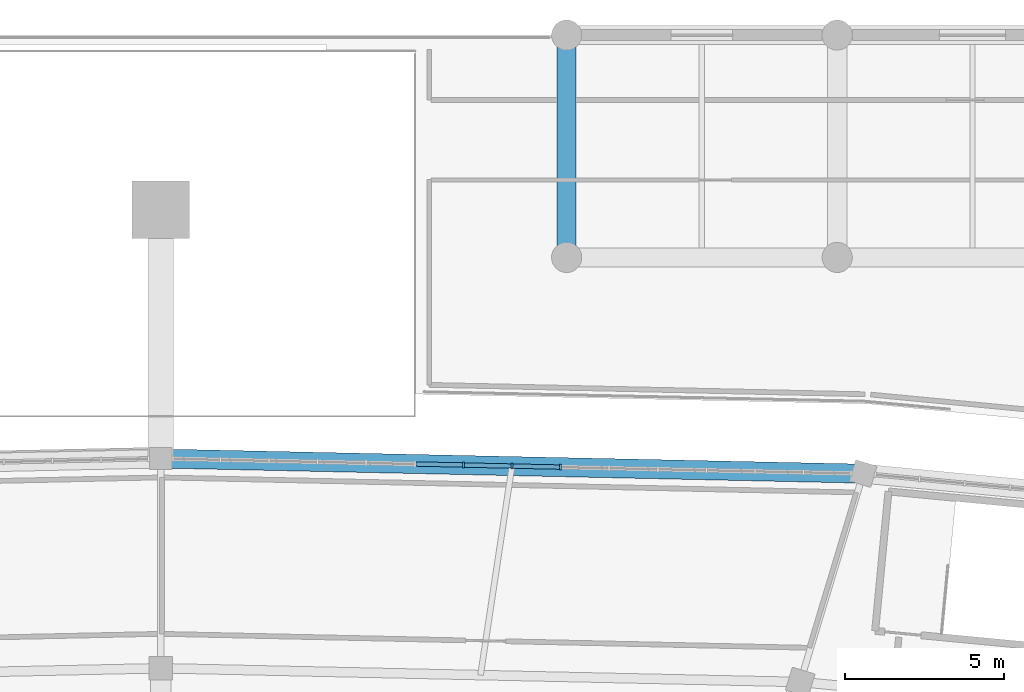
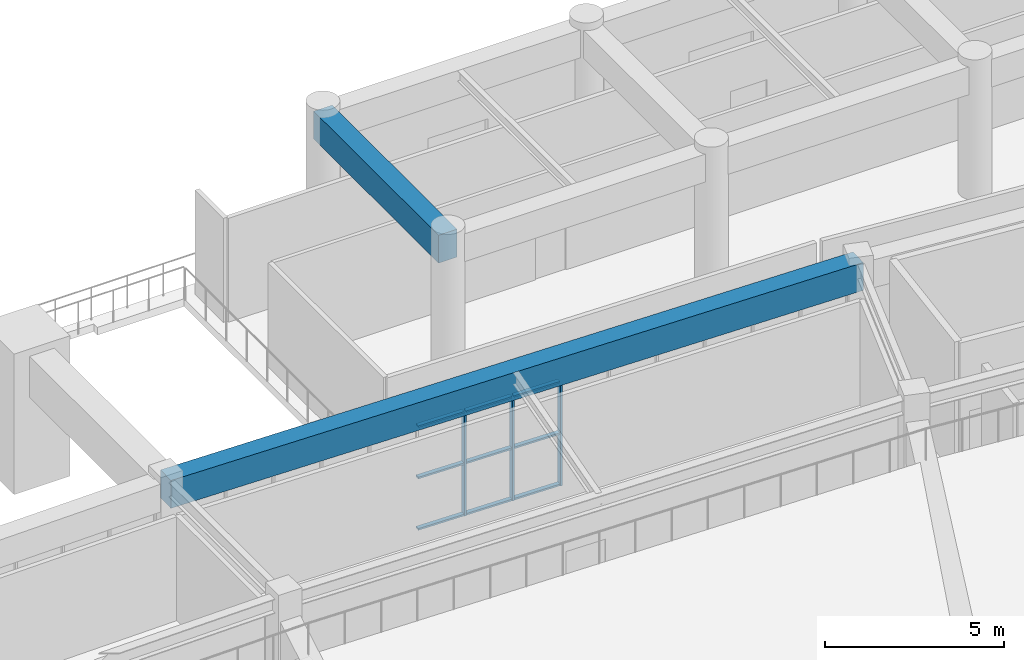
# One storey, part 63 of 137: 12 members, 2 beams, 1 element without a shape of its own.
"""IFC4 building model written with IfcOpenShell, lengths in metres."""

from ifc_helpers import new_model, si_unit, direction, frame, origin, origin_2d, place, context, subcontext, project, spatial, rectangle, extrude, material, layer, layer_set, material_profile, profile_set, type_object, element, aggregate, save


model = new_model("IFC4")

# Units and contexts
model_context = context("Model", 3, precision=1e-05, world=origin(), true_north=direction((0.0, 1.0)))
body_context = subcontext(model_context, "Body", "Model", "MODEL_VIEW")
ifc_project = project(units=[si_unit("LENGTHUNIT", "METRE"), si_unit("AREAUNIT", "SQUARE_METRE"), si_unit("VOLUMEUNIT", "CUBIC_METRE"), si_unit("PLANEANGLEUNIT", "RADIAN"), si_unit("MASSUNIT", "GRAM", prefix="KILO")], contexts=[model_context])

# Site, building, storey
site_placement = place(None, origin())
site = spatial("IfcSite", under=ifc_project, at=site_placement, CompositionType="ELEMENT")
building_placement = place(site_placement, origin())
building = spatial("IfcBuilding", under=site, at=building_placement, Name="Mphavela Belvedere Stadium", CompositionType="ELEMENT")
storey_placement = place(building_placement, frame((0.0, 0.0, 19.199951171875)))
storey = spatial("IfcBuildingStorey", under=building, at=storey_placement, Name="L04", CompositionType="ELEMENT", Elevation=19.199951171875)

# Beams
ifc_material_1 = material(Name="Concrete C40/50", Category="concrete")
ifc_material_profile_1 = material_profile(ifc_material_1, rectangle(XDim=0.60009765625, YDim=0.949951171875, at=origin_2d()), Name="RC 600x950")
ifc_profile_set_1 = profile_set([ifc_material_profile_1], Name="Concrete C40/50")
beam_type = type_object("IfcBeamType", Name="BM-ENTABLATURE-950", PredefinedType="SPANDREL", material=ifc_profile_set_1)
beam_1_placement = place(storey_placement, frame((137.114501953125, 160.19384765625, 4.074951171875), z_axis=(-0.999768359718, 0.021522706765, 0.0), x_axis=(-0.021522706765, -0.999768359718, 0.0)))
element("IfcBeam", 1, at=beam_1_placement, inside=storey, type_object=beam_type, Name="Circumferential girder L04 R4-12", PredefinedType="SPANDREL", context=body_context, shape_type="SweptSolid", body=[
    extrude(rectangle(XDim=0.60009765625, YDim=0.949951171875, at=origin_2d()), origin(), (0.0, 0.0, 1.0), 22.11962890625),
])
beam_2_placement = place(storey_placement, frame((127.778076171875, 167.0, 4.06494140625), z_axis=(0.0, 1.0, 0.0), x_axis=(-1.0, 0.0, 0.0)))
element("IfcBeam", 2, at=beam_2_placement, inside=storey, type_object=beam_type, Name="North Mast and Ceremonial End Forecourt entablature beam Y L04 16-7", PredefinedType="SPANDREL", context=body_context, shape_type="SweptSolid", body=[
    extrude(rectangle(XDim=0.60009765625, YDim=0.949951171875, at=origin_2d()), origin(), (0.0, 0.0, 1.0), 7.0),
])

# Curtain wall, members
ifc_material_2 = material(Name="Anodised bronze unitised curtain wall framing")
ifc_layer = layer(ifc_material_2, 0.18505859375)
ifc_layer_set = layer_set([ifc_layer], Name="Anodised bronze unitised curtain wall framing")
curtain_wall_type = type_object("IfcCurtainWallType", Name="CW-UNIT-02", PredefinedType="USERDEFINED", material=ifc_layer_set)
curtain_wall_placement = place(storey_placement, origin())
curtain_wall = element("IfcCurtainWall", 3, at=curtain_wall_placement, inside=storey, type_object=curtain_wall_type, Name="Belvedere colonnade curtain wall L04-12", ObjectType="UNITISED CURTAIN WALL", PredefinedType="USERDEFINED")
ifc_material_3 = material(Name="Anodised bronze extruded aluminium", Category="aluminium")
ifc_material_profile_2 = material_profile(ifc_material_3, rectangle(XDim=0.179931640625, YDim=0.06494140625, at=origin_2d()), Name="CW-MUL 180x65")
ifc_profile_set_2 = profile_set([ifc_material_profile_2], Name="Anodised bronze extruded aluminium")
member_type_1 = type_object("IfcMemberType", Name="CWM-180x65", PredefinedType="MULLION", material=ifc_profile_set_2)
member_1_placement = place(storey_placement, frame((127.587158203125, 160.39892578125, 0.0), z_axis=(0.0, 0.0, 1.0), x_axis=(-0.021527495473, -0.999768256617, 0.0)))
member_1 = element("IfcMember", 4, at=member_1_placement, type_object=member_type_1, Name="CW-02 mullion 7", PredefinedType="MULLION", context=body_context, shape_type="SweptSolid", body=[
    extrude(rectangle(XDim=0.179931640625, YDim=0.06494140625, at=origin_2d()), origin(), (0.0, 0.0, 1.0), 3.570068359375),
])
member_2_placement = place(storey_placement, frame((126.057373046875, 160.431884765625, 0.0), z_axis=(0.0, 0.0, 1.0), x_axis=(-0.021527495473, -0.999768256617, 0.0)))
member_2 = element("IfcMember", 5, at=member_2_placement, type_object=member_type_1, Name="CW-02 mullion 8", PredefinedType="MULLION", context=body_context, shape_type="SweptSolid", body=[
    extrude(rectangle(XDim=0.179931640625, YDim=0.06494140625, at=origin_2d()), origin(), (0.0, 0.0, 1.0), 3.570068359375),
])
member_3_placement = place(storey_placement, frame((124.52734375, 160.46484375, 0.0), z_axis=(0.0, 0.0, 1.0), x_axis=(-0.021527495473, -0.999768256617, 0.0)))
member_3 = element("IfcMember", 6, at=member_3_placement, type_object=member_type_1, Name="CW-02 mullion 9", PredefinedType="MULLION", context=body_context, shape_type="SweptSolid", body=[
    extrude(rectangle(XDim=0.179931640625, YDim=0.06494140625, at=origin_2d()), origin(), (0.0, 0.0, 1.0), 3.570068359375),
])
ifc_material_4 = material(Name="Anodised bronze extruded aluminium", Category="aluminium")
ifc_material_profile_3 = material_profile(ifc_material_4, rectangle(XDim=0.139892578125, YDim=0.06005859375, at=origin_2d()), Name="CW-TRN 140x60")
ifc_profile_set_3 = profile_set([ifc_material_profile_3], Name="Anodised bronze extruded aluminium")
member_type_2 = type_object("IfcMemberType", Name="CWT-140x60", PredefinedType="USERDEFINED", material=ifc_profile_set_3)
member_4_placement = place(storey_placement, frame((127.5546875, 160.399658203125, 0.030029296875), z_axis=(-0.999768955097, 0.021495032535, 0.0), x_axis=(-0.021495032535, -0.999768955097, 0.0)))
member_4 = element("IfcMember", 7, at=member_4_placement, type_object=member_type_2, Name="CW-02 transom 7.1", ObjectType="TRANSOM", PredefinedType="USERDEFINED", context=body_context, shape_type="SweptSolid", body=[
    extrude(rectangle(XDim=0.139892578125, YDim=0.06005859375, at=origin_2d()), origin(), (0.0, 0.0, 1.0), 1.465087890625),
])
member_5_placement = place(storey_placement, frame((127.5546875, 160.399658203125, 1.78515625), z_axis=(-0.999768955097, 0.021495032535, 0.0), x_axis=(-0.021495032535, -0.999768955097, 0.0)))
member_5 = element("IfcMember", 8, at=member_5_placement, type_object=member_type_2, Name="CW-02 transom 7.2", ObjectType="TRANSOM", PredefinedType="USERDEFINED", context=body_context, shape_type="SweptSolid", body=[
    extrude(rectangle(XDim=0.139892578125, YDim=0.06005859375, at=origin_2d()), origin(), (0.0, 0.0, 1.0), 1.465087890625),
])
member_6_placement = place(storey_placement, frame((127.5546875, 160.399658203125, 3.5400390625), z_axis=(-0.999768955097, 0.021495032535, 0.0), x_axis=(-0.021495032535, -0.999768955097, 0.0)))
member_6 = element("IfcMember", 9, at=member_6_placement, type_object=member_type_2, Name="CW-02 transom 7.3", ObjectType="TRANSOM", PredefinedType="USERDEFINED", context=body_context, shape_type="SweptSolid", body=[
    extrude(rectangle(XDim=0.139892578125, YDim=0.06005859375, at=origin_2d()), origin(), (0.0, 0.0, 1.0), 1.465087890625),
])
member_7_placement = place(storey_placement, frame((126.02490234375, 160.4326171875, 0.030029296875), z_axis=(-0.999769032066, 0.021491452281, 0.0), x_axis=(-0.021491452281, -0.999769032066, 0.0)))
member_7 = element("IfcMember", 10, at=member_7_placement, type_object=member_type_2, Name="CW-02 transom 8.1", ObjectType="TRANSOM", PredefinedType="USERDEFINED", context=body_context, shape_type="SweptSolid", body=[
    extrude(rectangle(XDim=0.139892578125, YDim=0.06005859375, at=origin_2d()), origin(), (0.0, 0.0, 1.0), 1.46533203125),
])
member_8_placement = place(storey_placement, frame((126.02490234375, 160.4326171875, 1.78515625), z_axis=(-0.999769032066, 0.021491452281, 0.0), x_axis=(-0.021491452281, -0.999769032066, 0.0)))
member_8 = element("IfcMember", 11, at=member_8_placement, type_object=member_type_2, Name="CW-02 transom 8.2", ObjectType="TRANSOM", PredefinedType="USERDEFINED", context=body_context, shape_type="SweptSolid", body=[
    extrude(rectangle(XDim=0.139892578125, YDim=0.06005859375, at=origin_2d()), origin(), (0.0, 0.0, 1.0), 1.46533203125),
])
member_9_placement = place(storey_placement, frame((126.02490234375, 160.4326171875, 3.5400390625), z_axis=(-0.999769032066, 0.021491452281, 0.0), x_axis=(-0.021491452281, -0.999769032066, 0.0)))
member_9 = element("IfcMember", 12, at=member_9_placement, type_object=member_type_2, Name="CW-02 transom 8.3", ObjectType="TRANSOM", PredefinedType="USERDEFINED", context=body_context, shape_type="SweptSolid", body=[
    extrude(rectangle(XDim=0.139892578125, YDim=0.06005859375, at=origin_2d()), origin(), (0.0, 0.0, 1.0), 1.46533203125),
])
member_10_placement = place(storey_placement, frame((124.494873046875, 160.465576171875, 0.030029296875), z_axis=(-0.999768955097, 0.021495032535, 0.0), x_axis=(-0.021495032535, -0.999768955097, 0.0)))
member_10 = element("IfcMember", 13, at=member_10_placement, type_object=member_type_2, Name="CW-02 transom 9.1", ObjectType="TRANSOM", PredefinedType="USERDEFINED", context=body_context, shape_type="SweptSolid", body=[
    extrude(rectangle(XDim=0.139892578125, YDim=0.06005859375, at=origin_2d()), origin(), (0.0, 0.0, 1.0), 1.465087890625),
])
member_11_placement = place(storey_placement, frame((124.494873046875, 160.465576171875, 1.78515625), z_axis=(-0.999768955097, 0.021495032535, 0.0), x_axis=(-0.021495032535, -0.999768955097, 0.0)))
member_11 = element("IfcMember", 14, at=member_11_placement, type_object=member_type_2, Name="CW-02 transom 9.2", ObjectType="TRANSOM", PredefinedType="USERDEFINED", context=body_context, shape_type="SweptSolid", body=[
    extrude(rectangle(XDim=0.139892578125, YDim=0.06005859375, at=origin_2d()), origin(), (0.0, 0.0, 1.0), 1.465087890625),
])
member_12_placement = place(storey_placement, frame((124.494873046875, 160.465576171875, 3.5400390625), z_axis=(-0.999768955097, 0.021495032535, 0.0), x_axis=(-0.021495032535, -0.999768955097, 0.0)))
member_12 = element("IfcMember", 15, at=member_12_placement, type_object=member_type_2, Name="CW-02 transom 9.3", ObjectType="TRANSOM", PredefinedType="USERDEFINED", context=body_context, shape_type="SweptSolid", body=[
    extrude(rectangle(XDim=0.139892578125, YDim=0.06005859375, at=origin_2d()), origin(), (0.0, 0.0, 1.0), 1.465087890625),
])
aggregate(curtain_wall, [member_1, member_2, member_3, member_4, member_5, member_6, member_7, member_8, member_9, member_10, member_11, member_12])

save(model, "model.ifc")
